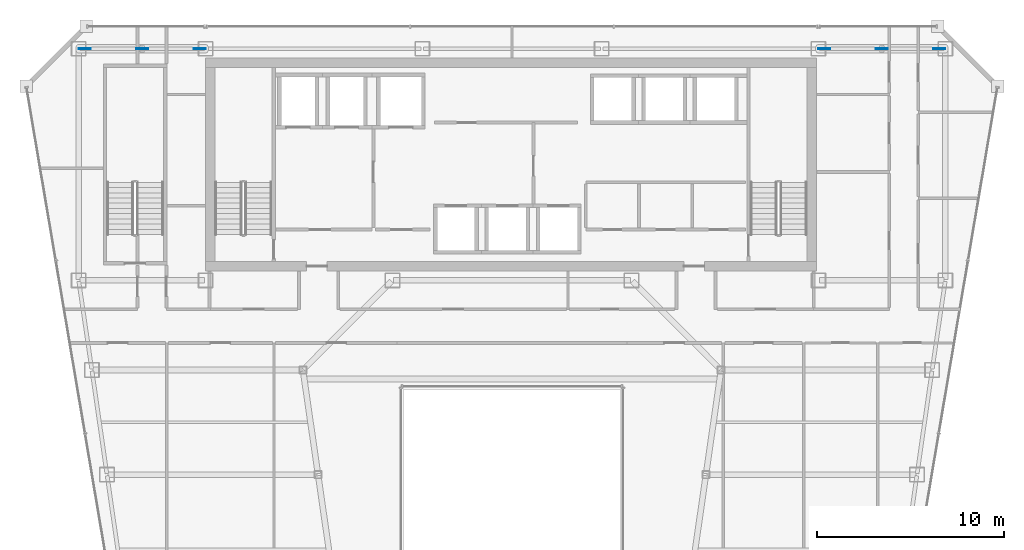
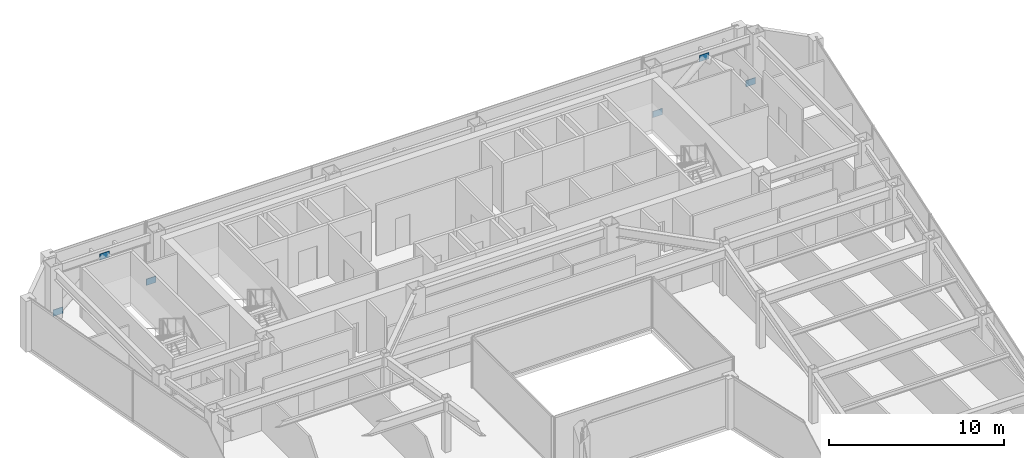
# One storey, part 29 of 36: 6 plates.
"""IFC4 building model written with IfcOpenShell, lengths in metres."""

from ifc_helpers import new_model, si_unit, direction, frame, origin, origin_2d, place, context, subcontext, project, spatial, rectangle, extrude, material, layer, layer_set, type_object, element, save


model = new_model("IFC4")

# Units and contexts
model_context = context("Model", 3, precision=1e-05, world=origin(), true_north=direction((0.0, 1.0)))
body_context = subcontext(model_context, "Body", "Model", "MODEL_VIEW")
ifc_project = project(units=[si_unit("LENGTHUNIT", "METRE"), si_unit("AREAUNIT", "SQUARE_METRE"), si_unit("VOLUMEUNIT", "CUBIC_METRE"), si_unit("PLANEANGLEUNIT", "RADIAN"), si_unit("MASSUNIT", "GRAM", prefix="KILO")], contexts=[model_context])

# Site, building, storey
site_placement = place(None, origin())
site = spatial("IfcSite", under=ifc_project, at=site_placement, CompositionType="ELEMENT")
building_placement = place(site_placement, origin())
building = spatial("IfcBuilding", under=site, at=building_placement, Name="Saevonmaru Cultural Tower", CompositionType="ELEMENT")
storey_placement = place(building_placement, frame((0.0, 0.0, 201.800048828125)))
storey = spatial("IfcBuildingStorey", under=building, at=storey_placement, Name="L46", CompositionType="ELEMENT", Elevation=201.800048828125)

# Plates
ifc_material = material(Name="Steel HSA600 (600 MPa)", Category="steel")
ifc_layer = layer(ifc_material, 0.0400390625, Name="Steel HSA600 (600 MPa)")
ifc_layer_set = layer_set([ifc_layer], Name="Steel HSA600 (600 MPa)")
plate_type = type_object("IfcPlateType", Name="PL-GUSSET-EXT", PredefinedType="USERDEFINED", material=ifc_layer_set)
for number, where, z_axis, x_axis, name in (
    (1, (10.199951171875, 54.800048828125, 2.85009765625), (0.0, 0.0, 1.0), (1.0, 0.0, 0.0), "L46 Perimeter Tube Gusset Plate"),
    (2, (7.1201171875, 54.800048828125, 0.02001953125), (0.0, 0.0, 1.0), (1.0, 0.0, 0.0), "L46 Perimeter Tube Gusset Plate"),
    (3, (13.280029296875, 54.800048828125, 0.02001953125), (0.0, 0.0, 1.0), (1.0, 0.0, 0.0), "L46 Perimeter Tube Gusset Plate"),
    (4, (49.800048828125, 54.800048828125, 2.85009765625), (0.0, 0.0, 1.0), (1.0, 0.0, 0.0), "L46 Perimeter Tube Gusset Plate"),
    (5, (46.719970703125, 54.800048828125, 0.02001953125), (0.0, 0.0, 1.0), (1.0, 0.0, 0.0), "L46 Perimeter Tube Gusset Plate"),
    (6, (52.8798828125, 54.800048828125, 0.02001953125), (0.0, 0.0, 1.0), (1.0, 0.0, 0.0), "L46 Perimeter Tube Gusset Plate"),
):
    element("IfcPlate", number, at=place(storey_placement, frame(where, z_axis=z_axis, x_axis=x_axis)), inside=storey, type_object=plate_type, Name=name, ObjectType="GUSSET_PLATE", PredefinedType="USERDEFINED", context=body_context, shape_type="SweptSolid", body=[
        extrude(rectangle(XDim=0.639892578125, YDim=0.0400390625, at=origin_2d()), origin(), (0.0, 0.0, 1.0), 0.43994140625),
    ])

save(model, "model.ifc")
